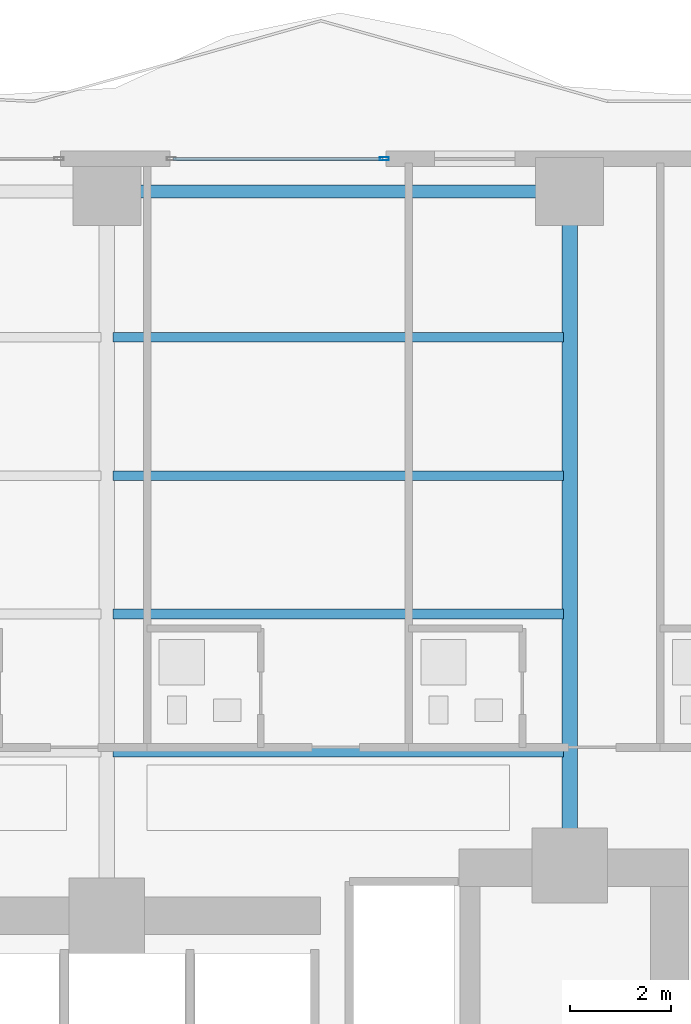
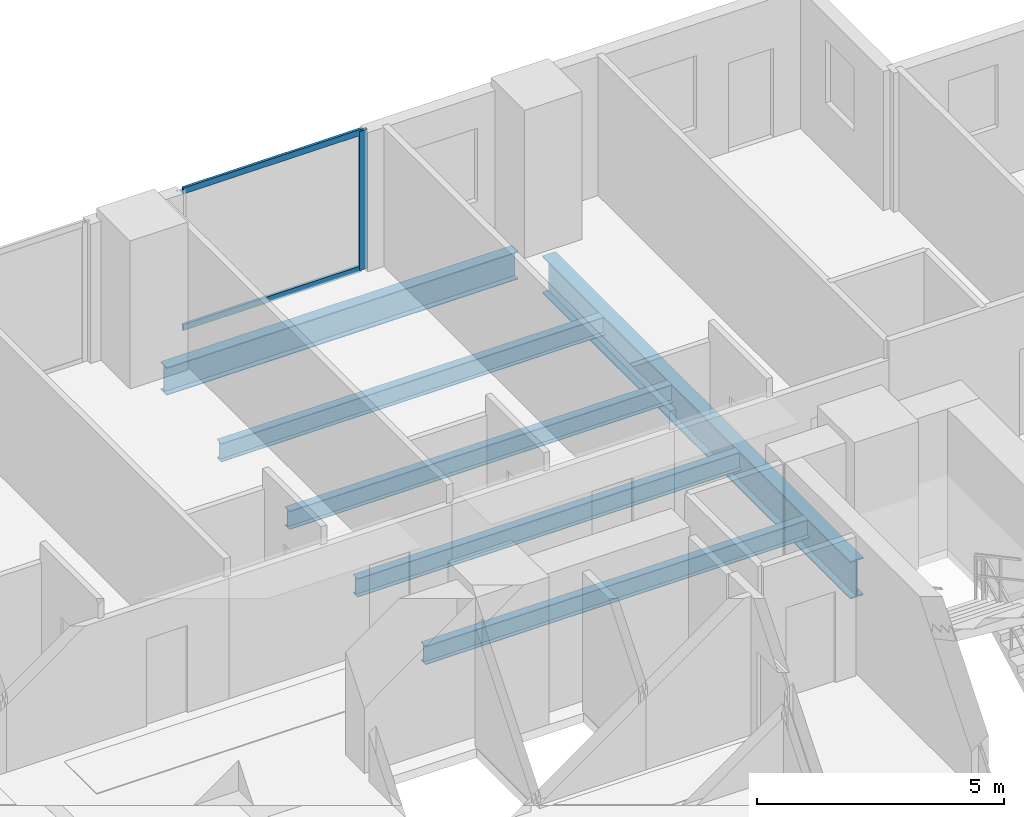
# One storey, part 18 of 29: 6 beams, 3 members, 1 element without a shape of its own.
"""IFC4 building model written with IfcOpenShell, lengths in metres."""

from ifc_helpers import new_model, si_unit, direction, frame, origin, origin_2d, place, context, subcontext, project, spatial, hollow_rectangle, i_section, extrude, material, layer, layer_set, material_profile, profile_set, type_object, element, aggregate, save


model = new_model("IFC4")

# Units and contexts
model_context = context("Model", 3, precision=1e-05, world=origin(), true_north=direction((0.0, 1.0)))
body_context = subcontext(model_context, "Body", "Model", "MODEL_VIEW")
ifc_project = project(units=[si_unit("LENGTHUNIT", "METRE"), si_unit("AREAUNIT", "SQUARE_METRE"), si_unit("VOLUMEUNIT", "CUBIC_METRE"), si_unit("PLANEANGLEUNIT", "RADIAN"), si_unit("MASSUNIT", "GRAM", prefix="KILO")], contexts=[model_context])

# Site, building, storey
site_placement = place(None, origin())
site = spatial("IfcSite", under=ifc_project, at=site_placement, CompositionType="ELEMENT")
building_placement = place(site_placement, origin())
building = spatial("IfcBuilding", under=site, at=building_placement, Name="Zuhayl Quay Hotel", CompositionType="ELEMENT")
storey_placement = place(building_placement, frame((0.0, 0.0, 150.39990234375)))
storey = spatial("IfcBuildingStorey", under=building, at=storey_placement, Name="L38", CompositionType="ELEMENT", Elevation=150.39990234375)

# Beams
ifc_material_1 = material(Name="Steel ASTM A992 Grade 50", Category="steel")
ifc_material_profile_1 = material_profile(ifc_material_1, i_section(OverallWidth=0.25390625, OverallDepth=0.68310546875, WebThickness=0.012451171875, FlangeThickness=0.018798828125, at=origin_2d()), Name="W27X94")
ifc_profile_set_1 = profile_set([ifc_material_profile_1], Name="Steel ASTM A992 Grade 50")
beam_type_1 = type_object("IfcBeamType", Name="BM_B2_W27X94", PredefinedType="BEAM", material=ifc_profile_set_1)
beam_1_placement = place(storey_placement, frame((13.300048828125, 27.75, -0.5615234375), z_axis=(-1.0, 0.0, 0.0), x_axis=(0.0, -1.0, 0.0)))
element("IfcBeam", 1, at=beam_1_placement, inside=storey, type_object=beam_type_1, Name="L38 Floor Beam RG_L38_07", PredefinedType="BEAM", context=body_context, shape_type="SweptSolid", body=[
    extrude(i_section(OverallWidth=0.25390625, OverallDepth=0.68310546875, WebThickness=0.012451171875, FlangeThickness=0.018798828125, at=origin_2d()), origin(), (0.0, 0.0, 1.0), 8.199951171875),
])
ifc_material_profile_2 = material_profile(ifc_material_1, i_section(OverallWidth=0.18994140625, OverallDepth=0.45703125, WebThickness=0.009033203125, FlangeThickness=0.014404296875, at=origin_2d()), Name="W18X50")
ifc_profile_set_2 = profile_set([ifc_material_profile_2], Name="Steel ASTM A992 Grade 50")
beam_type_2 = type_object("IfcBeamType", Name="BM_J2_W18X50", PredefinedType="JOIST", material=ifc_profile_set_2)
for number, where, z_axis, x_axis, name in (
    (2, (4.718994140625, 16.60009765625, -0.448486328125), (1.0, 0.0, 0.0), (0.0, 1.0, 0.0), "L38 Floor Beam FJ_L38_1_3"),
    (3, (4.718994140625, 19.35009765625, -0.448486328125), (1.0, 0.0, 0.0), (0.0, 1.0, 0.0), "L38 Floor Beam FJ_L38_2_3"),
    (4, (4.718994140625, 22.10009765625, -0.448486328125), (1.0, 0.0, 0.0), (0.0, 1.0, 0.0), "L38 Floor Beam FJ_L38_3_3"),
    (5, (4.718994140625, 24.85009765625, -0.448486328125), (1.0, 0.0, 0.0), (0.0, 1.0, 0.0), "L38 Floor Beam FJ_L38_4_3"),
):
    element("IfcBeam", number, at=place(storey_placement, frame(where, z_axis=z_axis, x_axis=x_axis)), inside=storey, type_object=beam_type_2, Name=name, PredefinedType="JOIST", context=body_context, shape_type="SweptSolid", body=[
        extrude(i_section(OverallWidth=0.18994140625, OverallDepth=0.45703125, WebThickness=0.009033203125, FlangeThickness=0.014404296875, at=origin_2d()), origin(), (0.0, 0.0, 1.0), 8.9619140625),
    ])
ifc_material_profile_3 = material_profile(ifc_material_1, i_section(OverallWidth=0.306884765625, OverallDepth=0.927001953125, WebThickness=0.019287109375, FlangeThickness=0.031982421875, at=origin_2d()), Name="W36X194")
ifc_profile_set_3 = profile_set([ifc_material_profile_3], Name="Steel ASTM A992 Grade 50")
beam_type_3 = type_object("IfcBeamType", Name="BM_PG2_W36X194", PredefinedType="BEAM", material=ifc_profile_set_3)
beam_2_placement = place(storey_placement, frame((13.800048828125, 14.800048828125, -0.683349609375), z_axis=(0.0, 1.0, 0.0), x_axis=(-1.0, 0.0, 0.0)))
element("IfcBeam", 6, at=beam_2_placement, inside=storey, type_object=beam_type_3, Name="L38 Floor Beam FG_N_L38_4", PredefinedType="BEAM", context=body_context, shape_type="SweptSolid", body=[
    extrude(i_section(OverallWidth=0.306884765625, OverallDepth=0.927001953125, WebThickness=0.019287109375, FlangeThickness=0.031982421875, at=origin_2d()), origin(), (0.0, 0.0, 1.0), 12.449951171875),
])

# Curtain wall, members
ifc_material_2 = material(Name="Anodised Aluminium 6063-T6", Category="aluminium")
ifc_layer = layer(ifc_material_2, 0.179931640625, Name="Anodised Aluminium 6063-T6", Category="aluminium")
ifc_layer_set = layer_set([ifc_layer], Name="Anodised Aluminium 6063-T6")
curtain_wall_type = type_object("IfcCurtainWallType", Name="CW_SYS_Z2", PredefinedType="USERDEFINED", material=ifc_layer_set)
curtain_wall_placement = place(storey_placement, origin())
curtain_wall = element("IfcCurtainWall", 7, at=curtain_wall_placement, inside=storey, type_object=curtain_wall_type, Name="L38 Curtain Wall ENV_L38_N_CW6", ObjectType="UNITISED CURTAIN WALL", PredefinedType="USERDEFINED")
ifc_material_3 = material(Name="Black-anodised aluminium 6063-T6", Category="aluminium")
ifc_material_profile_4 = material_profile(ifc_material_3, hollow_rectangle(XDim=0.06494140625, YDim=0.179931640625, WallThickness=0.00341796875, at=origin_2d()), Name="ALU180X65")
ifc_profile_set_4 = profile_set([ifc_material_profile_4], Name="Black-anodised aluminium 6063-T6")
member_type_1 = type_object("IfcMemberType", Name="MB_CW_MUL_180", PredefinedType="MULLION", material=ifc_profile_set_4)
member_1_placement = place(storey_placement, frame((10.117431640625, 28.39990234375, 0.0), z_axis=(0.0, 0.0, 1.0), x_axis=(0.0, 1.0, 0.0)))
member_1 = element("IfcMember", 8, at=member_1_placement, type_object=member_type_1, Name="CW-Z2 mullion 2", PredefinedType="MULLION", context=body_context, shape_type="SweptSolid", body=[
    extrude(hollow_rectangle(XDim=0.06494140625, YDim=0.179931640625, WallThickness=0.00341796875, at=origin_2d()), origin(), (0.0, 0.0, 1.0), 3.43017578125),
])
ifc_material_profile_5 = material_profile(ifc_material_3, hollow_rectangle(XDim=0.06005859375, YDim=0.14990234375, WallThickness=0.00341796875, at=origin_2d()), Name="ALU150X60")
ifc_profile_set_5 = profile_set([ifc_material_profile_5], Name="Black-anodised aluminium 6063-T6")
member_type_2 = type_object("IfcMemberType", Name="MB_CW_TRN_150", PredefinedType="USERDEFINED", material=ifc_profile_set_5)
member_2_placement = place(storey_placement, frame((5.9150390625, 28.39990234375, 0.030029296875), z_axis=(1.0, 0.0, 0.0), x_axis=(0.0, 1.0, 0.0)))
member_2 = element("IfcMember", 9, at=member_2_placement, type_object=member_type_2, Name="CW-Z2 transom 1.1", ObjectType="TRANSOM", PredefinedType="USERDEFINED", context=body_context, shape_type="SweptSolid", body=[
    extrude(hollow_rectangle(XDim=0.06005859375, YDim=0.14990234375, WallThickness=0.00341796875, at=origin_2d()), origin(), (0.0, 0.0, 1.0), 4.169921875),
])
member_3_placement = place(storey_placement, frame((5.9150390625, 28.39990234375, 3.400146484375), z_axis=(1.0, 0.0, 0.0), x_axis=(0.0, 1.0, 0.0)))
member_3 = element("IfcMember", 10, at=member_3_placement, type_object=member_type_2, Name="CW-Z2 transom 1.2", ObjectType="TRANSOM", PredefinedType="USERDEFINED", context=body_context, shape_type="SweptSolid", body=[
    extrude(hollow_rectangle(XDim=0.06005859375, YDim=0.14990234375, WallThickness=0.00341796875, at=origin_2d()), origin(), (0.0, 0.0, 1.0), 4.169921875),
])
aggregate(curtain_wall, [member_1, member_2, member_3])

save(model, "model.ifc")
